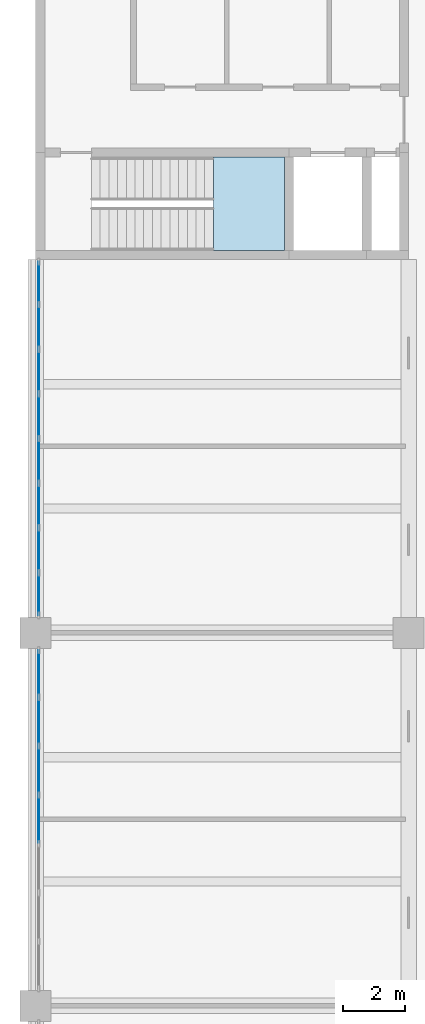
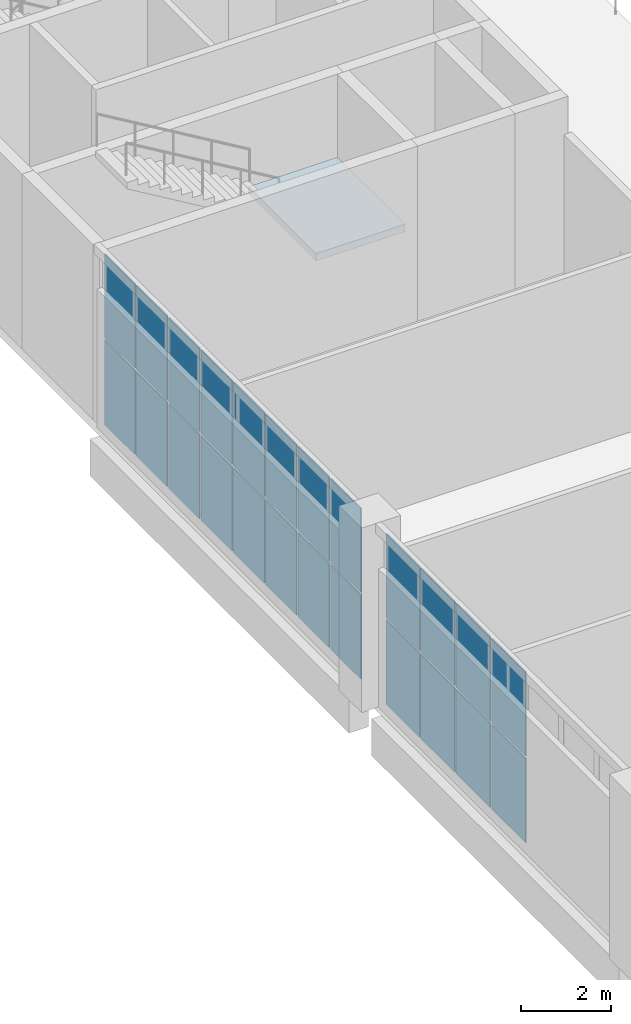
# One storey, part 45 of 69: 24 plates, 1 slab, 3 elements without a shape of their own.
"""IFC4 building model written with IfcOpenShell, lengths in metres."""

import ifcopenshell
import ifcopenshell.guid

model = None  # the IFC model being written
_history = None  # IfcOwnerHistory: only IFC2X3 demands one
_inside = {}  # id of a spatial element -> (the spatial element, [elements in it])
_under = {}  # id of a project, library or spatial element -> (it, [spatial elements below it])
_declared = {}  # id of a project -> (the project, [libraries it declares])
_typed = {}  # id of a type object -> (the type object, [elements of that type])
_made_of = {}  # id of a material, layer set ... -> (it, [elements and type objects made of it])


def new_model(schema):
    """Start an empty IFC model of exactly this schema.

    Asked for "IFC4X3", IfcOpenShell would pick the latest addendum, in which some entities
    have other attributes; the version numbers below select the first issue.
    IFC2X3 requires an IfcOwnerHistory on every rooted entity: one is made here for all.
    """
    global model, _history
    if schema == "IFC4X3":
        model = ifcopenshell.file(schema_version=(4, 3, 0, 0))
    else:
        model = ifcopenshell.file(schema=schema)
    _inside.clear()
    _under.clear()
    _declared.clear()
    _typed.clear()
    _made_of.clear()
    _history = None
    if model.schema == "IFC2X3":
        org = make("IfcOrganization", Name="unknown")
        user = make(
            "IfcPersonAndOrganization",
            ThePerson=make("IfcPerson", FamilyName="unknown"),
            TheOrganization=org,
        )
        app = make(
            "IfcApplication",
            ApplicationDeveloper=org,
            Version="unknown",
            ApplicationFullName="unknown",
            ApplicationIdentifier="unknown",
        )
        _history = make(
            "IfcOwnerHistory",
            OwningUser=user,
            OwningApplication=app,
            ChangeAction="ADDED",
            CreationDate=0,
        )
    return model


def make(cls, **values):
    """One entity of the class cls with the attributes given. An attribute that is None is left unset."""
    return model.create_entity(
        cls, **{name: value for name, value in values.items() if value is not None}
    )


def rooted(cls, **values):
    """An entity with a GlobalId (a new one), such as an element, a storey or a relation."""
    return make(cls, GlobalId=ifcopenshell.guid.new(), OwnerHistory=_history, **values)


def si_unit(unit_type, name, prefix=None):
    """IfcSIUnit, for example si_unit("LENGTHUNIT", "METRE", prefix="MILLI")."""
    return make("IfcSIUnit", UnitType=unit_type, Prefix=prefix, Name=name)


def assignment(units):
    """IfcUnitAssignment: the units of a project."""
    return None if units is None else make("IfcUnitAssignment", Units=units)


def point(xyz):
    """IfcCartesianPoint."""
    return None if xyz is None else make("IfcCartesianPoint", Coordinates=xyz)


def direction(xyz):
    """IfcDirection."""
    return None if xyz is None else make("IfcDirection", DirectionRatios=xyz)


def frame(location, z_axis=None, x_axis=None):
    """IfcAxis2Placement3D, a coordinate frame: its origin and axes. An axis left out is left unset."""
    return make(
        "IfcAxis2Placement3D",
        Location=point(location),
        Axis=direction(z_axis),
        RefDirection=direction(x_axis),
    )


def frame_2d(location, x_axis=None):
    """IfcAxis2Placement2D, a coordinate frame in the plane: its origin and x axis."""
    return make(
        "IfcAxis2Placement2D", Location=point(location), RefDirection=direction(x_axis)
    )


def origin():
    """The frame at (0, 0, 0) with its axes left unset."""
    return frame((0.0, 0.0, 0.0))


def origin_2d():
    """The frame at (0, 0) in the plane with its x axis left unset."""
    return frame_2d((0.0, 0.0))


def place(relative_to, where):
    """IfcLocalPlacement: puts the frame where relative to a parent placement (None: the world)."""
    return make(
        "IfcLocalPlacement", PlacementRelTo=relative_to, RelativePlacement=where
    )


def context(
    kind, dimensions, precision=None, world=None, true_north=None, identifier=None
):
    """IfcGeometricRepresentationContext, for example the 3D "Model" context."""
    return make(
        "IfcGeometricRepresentationContext",
        ContextIdentifier=identifier,
        ContextType=kind,
        CoordinateSpaceDimension=dimensions,
        Precision=precision,
        WorldCoordinateSystem=world,
        TrueNorth=true_north,
    )


def subcontext(parent, identifier, kind, view, scale=None):
    """IfcGeometricRepresentationSubContext, for example "Body" below "Model"."""
    return make(
        "IfcGeometricRepresentationSubContext",
        ContextIdentifier=identifier,
        ContextType=kind,
        ParentContext=parent,
        TargetScale=scale,
        TargetView=view,
    )


def project(units=None, contexts=None):
    """IfcProject with its units and contexts."""
    return rooted(
        "IfcProject",
        Name="project",
        RepresentationContexts=contexts,
        UnitsInContext=assignment(units),
    )


def spatial(cls, under=None, at=None, **own):
    """A site, building, storey or space (cls), placed at a placement, below another one or the project."""
    s = rooted(cls, ObjectPlacement=at, **own)
    if under is not None:
        _under.setdefault(under.id(), (under, []))[1].append(s)
    return s


def polyline(points):
    """IfcPolyline through the points."""
    return make("IfcPolyline", Points=[point(p) for p in points])


def profile(cls, at=None, kind="AREA", **sizes):
    """A parametric profile (cls). Its sizes go by their IFC names, for example OverallWidth=200.0."""
    return make(cls, ProfileType=kind, Position=at, **sizes)


def rectangle(**sizes):
    """IfcRectangleProfileDef."""
    return profile("IfcRectangleProfileDef", **sizes)


def outline(outer, holes=None, kind="AREA"):
    """IfcArbitraryClosedProfileDef: a profile drawn as a closed curve; with holes, ...WithVoids."""
    if holes is None:
        return make("IfcArbitraryClosedProfileDef", ProfileType=kind, OuterCurve=outer)
    return make(
        "IfcArbitraryProfileDefWithVoids",
        ProfileType=kind,
        OuterCurve=outer,
        InnerCurves=holes,
    )


def extrude(swept, where, along, depth):
    """IfcExtrudedAreaSolid: the profile swept, set in the frame where, extruded along a direction by depth."""
    return make(
        "IfcExtrudedAreaSolid",
        SweptArea=swept,
        Position=where,
        ExtrudedDirection=direction(along),
        Depth=depth,
    )


def shape(context_of_items, identifier, shape_type, items):
    """IfcShapeRepresentation: the items that make up one representation, for example the "Body"."""
    return make(
        "IfcShapeRepresentation",
        ContextOfItems=context_of_items,
        RepresentationIdentifier=identifier,
        RepresentationType=shape_type,
        Items=items,
    )


def material(Name=None, Category=None):
    """IfcMaterial."""
    return make("IfcMaterial", Name=Name, Category=Category)


def layer(
    of_material, thickness, ventilated=None, Name=None, Category=None, Priority=None
):
    """IfcMaterialLayer: one layer of a wall or slab, of a material (None: an air gap)."""
    return make(
        "IfcMaterialLayer",
        Material=of_material,
        LayerThickness=thickness,
        IsVentilated=ventilated,
        Name=Name,
        Category=Category,
        Priority=Priority,
    )


def layer_set(layers, Name=None):
    """IfcMaterialLayerSet."""
    return make("IfcMaterialLayerSet", MaterialLayers=layers, LayerSetName=Name)


def made_of(thing, what):
    """Note that an element or type object is made of a material, layer set ...; save() writes the relation."""
    if what is not None:
        _made_of.setdefault(what.id(), (what, []))[1].append(thing)
    return thing


def type_object(cls, material=None, **own):
    """A type object (cls), such as IfcWallType, which elements share."""
    return made_of(rooted(cls, **own), material)


def element(
    cls,
    number,
    at=None,
    inside=None,
    cuts=None,
    type_object=None,
    material=None,
    context=None,
    identifier="Body",
    shape_type=None,
    held_by="IfcProductDefinitionShape",
    body=None,
    shapes=None,
    **own,
):
    """One element of the class cls, such as IfcWall. Its Tag is "e" and its number.

    at: its placement. inside: the storey or other place that contains it. cuts: it is an
    opening in that element (IfcRelVoidsElement). A single representation is given by context,
    identifier, shape_type and body (its items); several are given by shapes. held_by: the class
    of the entity that holds the representations. save() writes the other relations.
    """
    e = rooted(cls, Tag="e%d" % number, ObjectPlacement=at, **own)
    if body is not None:
        shapes = [shape(context, identifier, shape_type, body)]
    if shapes is not None:
        e.Representation = make(held_by, Representations=shapes)
    if inside is not None:
        _inside.setdefault(inside.id(), (inside, []))[1].append(e)
    if cuts is not None:
        rooted(
            "IfcRelVoidsElement", RelatingBuildingElement=cuts, RelatedOpeningElement=e
        )
    if type_object is not None:
        _typed.setdefault(type_object.id(), (type_object, []))[1].append(e)
    return made_of(e, material)


def aggregate(whole, parts):
    """IfcRelAggregates: a whole, such as a stair, and the parts it consists of."""
    return rooted("IfcRelAggregates", RelatingObject=whole, RelatedObjects=parts)


def save(model, path):
    """Write the relations noted so far, then the file.

    IfcRelAggregates (storeys below a building ...), IfcRelContainedInSpatialStructure (elements
    in a storey), IfcRelDefinesByType, IfcRelAssociatesMaterial and IfcRelDeclares: one each for
    every whole, place, type object, material and project.
    """
    for whole, parts in _under.values():
        aggregate(whole, parts)
    for where, things in _inside.values():
        rooted(
            "IfcRelContainedInSpatialStructure",
            RelatedElements=things,
            RelatingStructure=where,
        )
    for kind, things in _typed.values():
        rooted("IfcRelDefinesByType", RelatedObjects=things, RelatingType=kind)
    for what, things in _made_of.values():
        rooted("IfcRelAssociatesMaterial", RelatedObjects=things, RelatingMaterial=what)
    for by, libraries in _declared.values():
        rooted("IfcRelDeclares", RelatingContext=by, RelatedDefinitions=libraries)
    model.write(path)


model = new_model("IFC4")

# Units and contexts
model_context = context("Model", 3, precision=1e-05, world=origin(), true_north=direction((0.0, 1.0)))
body_context = subcontext(model_context, "Body", "Model", "MODEL_VIEW")
ifc_project = project(units=[si_unit("LENGTHUNIT", "METRE"), si_unit("AREAUNIT", "SQUARE_METRE"), si_unit("VOLUMEUNIT", "CUBIC_METRE"), si_unit("PLANEANGLEUNIT", "RADIAN"), si_unit("MASSUNIT", "GRAM", prefix="KILO")], contexts=[model_context])

# Site, building, storey
site_placement = place(None, origin())
site = spatial("IfcSite", under=ifc_project, at=site_placement, CompositionType="ELEMENT")
building_placement = place(site_placement, origin())
building = spatial("IfcBuilding", under=site, at=building_placement, Name="Lilac Gate Convention Centre", CompositionType="ELEMENT")
storey_placement = place(building_placement, frame((0.0, 0.0, 12.0)))
storey = spatial("IfcBuildingStorey", under=building, at=storey_placement, Name="L02", CompositionType="ELEMENT", Elevation=12.0)

# Curtain wall, plates
ifc_material_1 = material(Name="Aluminium framed double glazing", Category="aluminium")
ifc_layer_1 = layer(ifc_material_1, 0.199951171875)
ifc_layer_set_1 = layer_set([ifc_layer_1], Name="Aluminium framed double glazing")
curtain_wall_type = type_object("IfcCurtainWallType", Name="Unitised curtain wall 1500", PredefinedType="NOTDEFINED", material=ifc_layer_set_1)
curtain_wall_1_placement = place(storey_placement, origin())
curtain_wall_1 = element("IfcCurtainWall", 1, at=curtain_wall_1_placement, inside=storey, type_object=curtain_wall_type, Name="Curtain wall PW L02 5", PredefinedType="NOTDEFINED")
ifc_material_2 = material(Name="Double glazed unit low emissivity")
ifc_layer_2 = layer(ifc_material_2, 0.028076171875)
ifc_layer_set_2 = layer_set([ifc_layer_2], Name="Double glazed unit low emissivity")
plate_type_1 = type_object("IfcPlateType", Name="Curtain wall glass panel 28", PredefinedType="CURTAIN_PANEL", material=ifc_layer_set_2)
plate_1_placement = place(storey_placement, frame((6.10009765625, 149.266357421875, 2.4052734375), z_axis=(0.0, 0.0, 1.0), x_axis=(0.0, -1.0, 0.0)))
plate_1 = element("IfcPlate", 2, at=plate_1_placement, type_object=plate_type_1, Name="CW panel 1.2", PredefinedType="CURTAIN_PANEL", context=body_context, shape_type="SweptSolid", body=[
    extrude(rectangle(XDim=1.347412109375, YDim=0.028076171875, at=origin_2d()), origin(), (0.0, 0.0, 1.0), 2.284912109375),
])
plate_2_placement = place(storey_placement, frame((6.10009765625, 147.84375, 2.4052734375), z_axis=(0.0, 0.0, 1.0), x_axis=(0.0, -1.0, 0.0)))
plate_2 = element("IfcPlate", 3, at=plate_2_placement, type_object=plate_type_1, Name="CW panel 2.2", PredefinedType="CURTAIN_PANEL", context=body_context, shape_type="SweptSolid", body=[
    extrude(rectangle(XDim=1.37744140625, YDim=0.028076171875, at=origin_2d()), origin(), (0.0, 0.0, 1.0), 2.284912109375),
])
plate_3_placement = place(storey_placement, frame((6.10009765625, 146.40625, 2.4052734375), z_axis=(0.0, 0.0, 1.0), x_axis=(0.0, -1.0, 0.0)))
plate_3 = element("IfcPlate", 4, at=plate_3_placement, type_object=plate_type_1, Name="CW panel 3.2", PredefinedType="CURTAIN_PANEL", context=body_context, shape_type="SweptSolid", body=[
    extrude(rectangle(XDim=1.37744140625, YDim=0.028076171875, at=origin_2d()), origin(), (0.0, 0.0, 1.0), 2.284912109375),
])
plate_4_placement = place(storey_placement, frame((6.10009765625, 144.96875, 2.4052734375), z_axis=(0.0, 0.0, 1.0), x_axis=(0.0, -1.0, 0.0)))
plate_4 = element("IfcPlate", 5, at=plate_4_placement, type_object=plate_type_1, Name="CW panel 4.2", PredefinedType="CURTAIN_PANEL", context=body_context, shape_type="SweptSolid", body=[
    extrude(rectangle(XDim=1.37744140625, YDim=0.028076171875, at=origin_2d()), origin(), (0.0, 0.0, 1.0), 2.284912109375),
])
plate_5_placement = place(storey_placement, frame((6.10009765625, 143.53125, 2.4052734375), z_axis=(0.0, 0.0, 1.0), x_axis=(0.0, -1.0, 0.0)))
plate_5 = element("IfcPlate", 6, at=plate_5_placement, type_object=plate_type_1, Name="CW panel 5.2", PredefinedType="CURTAIN_PANEL", context=body_context, shape_type="SweptSolid", body=[
    extrude(rectangle(XDim=1.37744140625, YDim=0.028076171875, at=origin_2d()), origin(), (0.0, 0.0, 1.0), 2.284912109375),
])
plate_6_placement = place(storey_placement, frame((6.10009765625, 142.09375, 2.4052734375), z_axis=(0.0, 0.0, 1.0), x_axis=(0.0, -1.0, 0.0)))
plate_6 = element("IfcPlate", 7, at=plate_6_placement, type_object=plate_type_1, Name="CW panel 6.2", PredefinedType="CURTAIN_PANEL", context=body_context, shape_type="SweptSolid", body=[
    extrude(rectangle(XDim=1.37744140625, YDim=0.028076171875, at=origin_2d()), origin(), (0.0, 0.0, 1.0), 2.284912109375),
])
plate_7_placement = place(storey_placement, frame((6.10009765625, 140.65625, 2.4052734375), z_axis=(0.0, 0.0, 1.0), x_axis=(0.0, -1.0, 0.0)))
plate_7 = element("IfcPlate", 8, at=plate_7_placement, type_object=plate_type_1, Name="CW panel 7.2", PredefinedType="CURTAIN_PANEL", context=body_context, shape_type="SweptSolid", body=[
    extrude(rectangle(XDim=1.37744140625, YDim=0.028076171875, at=origin_2d()), origin(), (0.0, 0.0, 1.0), 2.284912109375),
])
plate_8_placement = place(storey_placement, frame((6.10009765625, 139.233642578125, 2.4052734375), z_axis=(0.0, 0.0, 1.0), x_axis=(0.0, -1.0, 0.0)))
plate_8 = element("IfcPlate", 9, at=plate_8_placement, type_object=plate_type_1, Name="CW panel 8.2", PredefinedType="CURTAIN_PANEL", context=body_context, shape_type="SweptSolid", body=[
    extrude(rectangle(XDim=1.347412109375, YDim=0.028076171875, at=origin_2d()), origin(), (0.0, 0.0, 1.0), 2.284912109375),
])

curtain_wall_2_placement = place(storey_placement, origin())
curtain_wall_2 = element("IfcCurtainWall", 10, at=curtain_wall_2_placement, inside=storey, type_object=curtain_wall_type, Name="Curtain wall PW L02 6", PredefinedType="NOTDEFINED")
plate_9_placement = place(storey_placement, frame((6.10009765625, 136.69921875, 2.4052734375), z_axis=(0.0, 0.0, 1.0), x_axis=(0.0, -1.0, 0.0)))
plate_9 = element("IfcPlate", 11, at=plate_9_placement, type_object=plate_type_1, Name="CW panel 1.2", PredefinedType="CURTAIN_PANEL", context=body_context, shape_type="SweptSolid", body=[
    extrude(rectangle(XDim=1.4814453125, YDim=0.028076171875, at=origin_2d()), origin(), (0.0, 0.0, 1.0), 2.284912109375),
])
plate_10_placement = place(storey_placement, frame((6.10009765625, 135.142822265625, 2.4052734375), z_axis=(0.0, 0.0, 1.0), x_axis=(0.0, -1.0, 0.0)))
plate_10 = element("IfcPlate", 12, at=plate_10_placement, type_object=plate_type_1, Name="CW panel 2.2", PredefinedType="CURTAIN_PANEL", context=body_context, shape_type="SweptSolid", body=[
    extrude(rectangle(XDim=1.511474609375, YDim=0.028076171875, at=origin_2d()), origin(), (0.0, 0.0, 1.0), 2.284912109375),
])
plate_11_placement = place(storey_placement, frame((6.10009765625, 133.571533203125, 2.4052734375), z_axis=(0.0, 0.0, 1.0), x_axis=(0.0, -1.0, 0.0)))
plate_11 = element("IfcPlate", 13, at=plate_11_placement, type_object=plate_type_1, Name="CW panel 3.2", PredefinedType="CURTAIN_PANEL", context=body_context, shape_type="SweptSolid", body=[
    extrude(rectangle(XDim=1.511474609375, YDim=0.028076171875, at=origin_2d()), origin(), (0.0, 0.0, 1.0), 2.284912109375),
])
plate_12_placement = place(storey_placement, frame((6.10009765625, 132.0, 2.4052734375), z_axis=(0.0, 0.0, 1.0), x_axis=(0.0, -1.0, 0.0)))
plate_12 = element("IfcPlate", 14, at=plate_12_placement, type_object=plate_type_1, Name="CW panel 4.2", PredefinedType="CURTAIN_PANEL", context=body_context, shape_type="SweptSolid", body=[
    extrude(rectangle(XDim=1.511474609375, YDim=0.028076171875, at=origin_2d()), origin(), (0.0, 0.0, 1.0), 2.284912109375),
])

# Plate
ifc_material_3 = material(Name="Insulated aluminium spandrel panel", Category="aluminium")
ifc_layer_3 = layer(ifc_material_3, 0.028076171875)
ifc_layer_set_3 = layer_set([ifc_layer_3], Name="Insulated aluminium spandrel panel")
plate_type_2 = type_object("IfcPlateType", Name="Curtain wall spandrel panel 28", PredefinedType="CURTAIN_PANEL", material=ifc_layer_set_3)
plate_13_placement = place(storey_placement, frame((6.10009765625, 149.266357421875, 0.06005859375), z_axis=(0.0, 0.0, 1.0), x_axis=(0.0, -1.0, 0.0)))
plate_13 = element("IfcPlate", 15, at=plate_13_placement, type_object=plate_type_2, Name="CW spandrel 1.1", PredefinedType="CURTAIN_PANEL", context=body_context, shape_type="SweptSolid", body=[
    extrude(rectangle(XDim=1.347412109375, YDim=0.028076171875, at=origin_2d()), origin(), (0.0, 0.0, 1.0), 2.284912109375),
])

plate_14_placement = place(storey_placement, frame((6.10009765625, 147.84375, 0.06005859375), z_axis=(0.0, 0.0, 1.0), x_axis=(0.0, -1.0, 0.0)))
plate_14 = element("IfcPlate", 16, at=plate_14_placement, type_object=plate_type_2, Name="CW spandrel 2.1", PredefinedType="CURTAIN_PANEL", context=body_context, shape_type="SweptSolid", body=[
    extrude(rectangle(XDim=1.37744140625, YDim=0.028076171875, at=origin_2d()), origin(), (0.0, 0.0, 1.0), 2.284912109375),
])

plate_15_placement = place(storey_placement, frame((6.10009765625, 146.40625, 0.06005859375), z_axis=(0.0, 0.0, 1.0), x_axis=(0.0, -1.0, 0.0)))
plate_15 = element("IfcPlate", 17, at=plate_15_placement, type_object=plate_type_2, Name="CW spandrel 3.1", PredefinedType="CURTAIN_PANEL", context=body_context, shape_type="SweptSolid", body=[
    extrude(rectangle(XDim=1.37744140625, YDim=0.028076171875, at=origin_2d()), origin(), (0.0, 0.0, 1.0), 2.284912109375),
])

plate_16_placement = place(storey_placement, frame((6.10009765625, 144.96875, 0.06005859375), z_axis=(0.0, 0.0, 1.0), x_axis=(0.0, -1.0, 0.0)))
plate_16 = element("IfcPlate", 18, at=plate_16_placement, type_object=plate_type_2, Name="CW spandrel 4.1", PredefinedType="CURTAIN_PANEL", context=body_context, shape_type="SweptSolid", body=[
    extrude(rectangle(XDim=1.37744140625, YDim=0.028076171875, at=origin_2d()), origin(), (0.0, 0.0, 1.0), 2.284912109375),
])

plate_17_placement = place(storey_placement, frame((6.10009765625, 143.53125, 0.06005859375), z_axis=(0.0, 0.0, 1.0), x_axis=(0.0, -1.0, 0.0)))
plate_17 = element("IfcPlate", 19, at=plate_17_placement, type_object=plate_type_2, Name="CW spandrel 5.1", PredefinedType="CURTAIN_PANEL", context=body_context, shape_type="SweptSolid", body=[
    extrude(rectangle(XDim=1.37744140625, YDim=0.028076171875, at=origin_2d()), origin(), (0.0, 0.0, 1.0), 2.284912109375),
])

plate_18_placement = place(storey_placement, frame((6.10009765625, 142.09375, 0.06005859375), z_axis=(0.0, 0.0, 1.0), x_axis=(0.0, -1.0, 0.0)))
plate_18 = element("IfcPlate", 20, at=plate_18_placement, type_object=plate_type_2, Name="CW spandrel 6.1", PredefinedType="CURTAIN_PANEL", context=body_context, shape_type="SweptSolid", body=[
    extrude(rectangle(XDim=1.37744140625, YDim=0.028076171875, at=origin_2d()), origin(), (0.0, 0.0, 1.0), 2.284912109375),
])

plate_19_placement = place(storey_placement, frame((6.10009765625, 140.65625, 0.06005859375), z_axis=(0.0, 0.0, 1.0), x_axis=(0.0, -1.0, 0.0)))
plate_19 = element("IfcPlate", 21, at=plate_19_placement, type_object=plate_type_2, Name="CW spandrel 7.1", PredefinedType="CURTAIN_PANEL", context=body_context, shape_type="SweptSolid", body=[
    extrude(rectangle(XDim=1.37744140625, YDim=0.028076171875, at=origin_2d()), origin(), (0.0, 0.0, 1.0), 2.284912109375),
])

plate_20_placement = place(storey_placement, frame((6.10009765625, 139.233642578125, 0.06005859375), z_axis=(0.0, 0.0, 1.0), x_axis=(0.0, -1.0, 0.0)))
plate_20 = element("IfcPlate", 22, at=plate_20_placement, type_object=plate_type_2, Name="CW spandrel 8.1", PredefinedType="CURTAIN_PANEL", context=body_context, shape_type="SweptSolid", body=[
    extrude(rectangle(XDim=1.347412109375, YDim=0.028076171875, at=origin_2d()), origin(), (0.0, 0.0, 1.0), 2.284912109375),
])

aggregate(curtain_wall_1, [plate_13, plate_1, plate_14, plate_2, plate_15, plate_3, plate_16, plate_4, plate_17, plate_5, plate_18, plate_6, plate_19, plate_7, plate_20, plate_8])

plate_21_placement = place(storey_placement, frame((6.10009765625, 136.69921875, 0.06005859375), z_axis=(0.0, 0.0, 1.0), x_axis=(0.0, -1.0, 0.0)))
plate_21 = element("IfcPlate", 23, at=plate_21_placement, type_object=plate_type_2, Name="CW spandrel 1.1", PredefinedType="CURTAIN_PANEL", context=body_context, shape_type="SweptSolid", body=[
    extrude(rectangle(XDim=1.4814453125, YDim=0.028076171875, at=origin_2d()), origin(), (0.0, 0.0, 1.0), 2.284912109375),
])

plate_22_placement = place(storey_placement, frame((6.10009765625, 135.142822265625, 0.06005859375), z_axis=(0.0, 0.0, 1.0), x_axis=(0.0, -1.0, 0.0)))
plate_22 = element("IfcPlate", 24, at=plate_22_placement, type_object=plate_type_2, Name="CW spandrel 2.1", PredefinedType="CURTAIN_PANEL", context=body_context, shape_type="SweptSolid", body=[
    extrude(rectangle(XDim=1.511474609375, YDim=0.028076171875, at=origin_2d()), origin(), (0.0, 0.0, 1.0), 2.284912109375),
])

plate_23_placement = place(storey_placement, frame((6.10009765625, 133.571533203125, 0.06005859375), z_axis=(0.0, 0.0, 1.0), x_axis=(0.0, -1.0, 0.0)))
plate_23 = element("IfcPlate", 25, at=plate_23_placement, type_object=plate_type_2, Name="CW spandrel 3.1", PredefinedType="CURTAIN_PANEL", context=body_context, shape_type="SweptSolid", body=[
    extrude(rectangle(XDim=1.511474609375, YDim=0.028076171875, at=origin_2d()), origin(), (0.0, 0.0, 1.0), 2.284912109375),
])

plate_24_placement = place(storey_placement, frame((6.10009765625, 132.0, 0.06005859375), z_axis=(0.0, 0.0, 1.0), x_axis=(0.0, -1.0, 0.0)))
plate_24 = element("IfcPlate", 26, at=plate_24_placement, type_object=plate_type_2, Name="CW spandrel 4.1", PredefinedType="CURTAIN_PANEL", context=body_context, shape_type="SweptSolid", body=[
    extrude(rectangle(XDim=1.511474609375, YDim=0.028076171875, at=origin_2d()), origin(), (0.0, 0.0, 1.0), 2.284912109375),
])

aggregate(curtain_wall_2, [plate_21, plate_9, plate_22, plate_10, plate_23, plate_11, plate_24, plate_12])

# Stair, slab
ifc_material_4 = material(Name="Concrete C40", Category="concrete")
stair_type = type_object("IfcStairType", Name="Exit stair two flights", PredefinedType="HALF_TURN_STAIR", material=ifc_material_4)
stair_placement = place(storey_placement, origin())
stair = element("IfcStair", 27, at=stair_placement, inside=storey, type_object=stair_type, Name="Exit stair W3A L02 to L03", PredefinedType="HALF_TURN_STAIR")
ifc_layer_4 = layer(ifc_material_4, 0.199951171875)
ifc_layer_set_4 = layer_set([ifc_layer_4], Name="Concrete C40")
slab_type = type_object("IfcSlabType", Name="Stair landing 200 precast", PredefinedType="LANDING", material=ifc_layer_set_4)
slab_placement = place(storey_placement, frame((0.0, 0.0, 2.300048828125)))
slab = element("IfcSlab", 28, at=slab_placement, type_object=slab_type, Name="ST17 landing 1", PredefinedType="LANDING", context=body_context, shape_type="SweptSolid", body=[
    extrude(outline(polyline([(11.719970703125, 150.300048828125), (14.0, 150.300048828125), (14.0, 153.300048828125), (11.719970703125, 153.300048828125), (11.719970703125, 150.300048828125)])), origin(), (0.0, 0.0, 1.0), 0.199951171875),
])
aggregate(stair, [slab])

save(model, "model.ifc")
